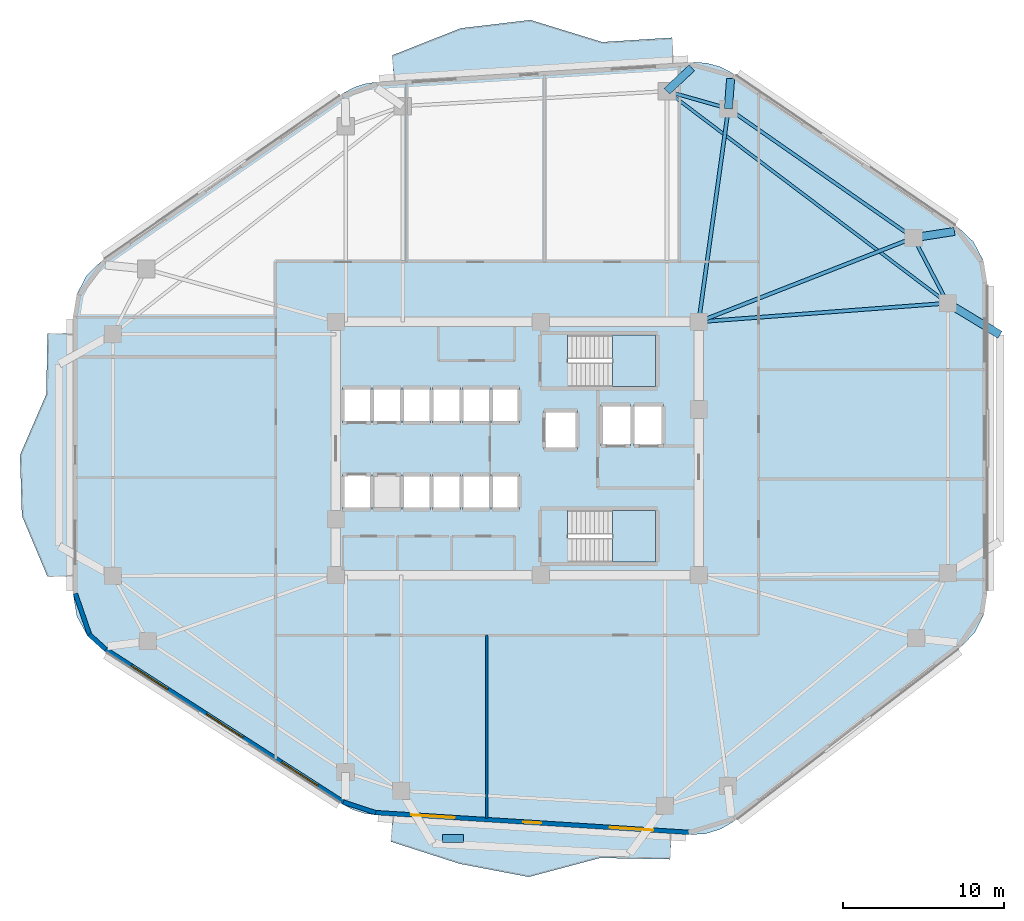
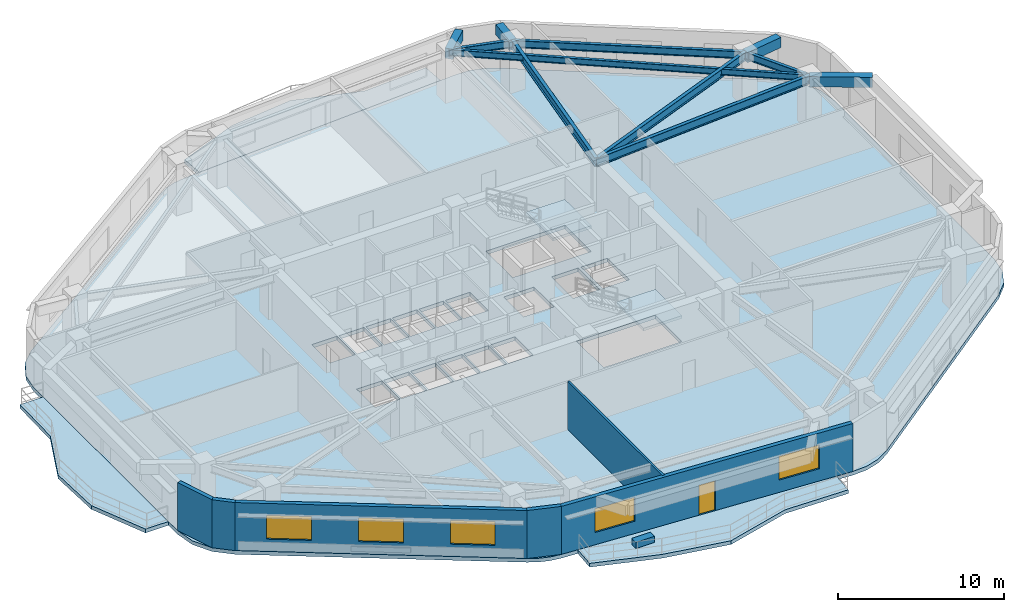
# One storey, part 2 of 10: 11 beams, 6 slabs, 6 walls, 5 windows, 1 door, 1 plate, 6 openings, 2 elements without a shape of their own.
"""IFC4 building model written with IfcOpenShell, lengths in metres."""

from ifc_helpers import new_model, si_unit, direction, frame, frame_2d, origin, origin_2d, place, context, subcontext, project, spatial, polyline, rectangle, i_section, outline, extrude, material, layer, layer_set, material_profile, profile_set, type_object, element, fill, aggregate, save


model = new_model("IFC4")

# Units and contexts
model_context = context("Model", 3, precision=1e-05, world=origin(), true_north=direction((0.0, 1.0)))
body_context = subcontext(model_context, "Body", "Model", "MODEL_VIEW")
ifc_project = project(units=[si_unit("LENGTHUNIT", "METRE"), si_unit("AREAUNIT", "SQUARE_METRE"), si_unit("VOLUMEUNIT", "CUBIC_METRE"), si_unit("PLANEANGLEUNIT", "RADIAN"), si_unit("MASSUNIT", "GRAM", prefix="KILO")], contexts=[model_context])

# Site, building, storey
site_placement = place(None, origin())
site = spatial("IfcSite", under=ifc_project, at=site_placement, CompositionType="ELEMENT")
building_placement = place(site_placement, origin())
building = spatial("IfcBuilding", under=site, at=building_placement, Name="Zulverin Broadcast Headquarters", CompositionType="ELEMENT")
storey_placement = place(building_placement, frame((0.0, 0.0, 97.199951171875)))
storey = spatial("IfcBuildingStorey", under=building, at=storey_placement, Name="L24", CompositionType="ELEMENT", Elevation=97.199951171875)

# Beams
ifc_material_1 = material(Name="Concrete C40/50", Category="concrete")
ifc_material_profile_1 = material_profile(ifc_material_1, rectangle(XDim=0.5, YDim=0.75, at=origin_2d()), Name="Concrete C40/50", Category="concrete")
ifc_profile_set_1 = profile_set([ifc_material_profile_1], Name="Concrete C40/50")
beam_type_1 = type_object("IfcBeamType", Name="BM-RC-500x750", PredefinedType="BEAM", material=ifc_profile_set_1)
beam_1_placement = place(storey_placement, frame((61.630126953125, 38.298583984375, 3.150146484375), z_axis=(0.988133444256, 0.153597839639, 0.0), x_axis=(-0.153597839639, 0.988133444256, 0.0)))
element("IfcBeam", 1, at=beam_1_placement, inside=storey, type_object=beam_type_1, Name="L25 Plate Overhang Back-Spanned Beam OVR-07", PredefinedType="BEAM", context=body_context, shape_type="SweptSolid", body=[
    extrude(rectangle(XDim=0.5, YDim=0.75, at=origin_2d()), origin(), (0.0, 0.0, 1.0), 2.57177734375),
])
beam_2_placement = place(storey_placement, frame((50.121826171875, 46.325927734375, 3.150146484375), z_axis=(0.073023006252, 0.997330256514, 0.0), x_axis=(-0.997330256514, 0.073023006252, 0.0)))
element("IfcBeam", 2, at=beam_2_placement, inside=storey, type_object=beam_type_1, Name="L25 Plate Overhang Back-Spanned Beam OVR-08", PredefinedType="BEAM", context=body_context, shape_type="SweptSolid", body=[
    extrude(rectangle(XDim=0.5, YDim=0.75, at=origin_2d()), origin(), (0.0, 0.0, 1.0), 1.875732421875),
])
beam_3_placement = place(storey_placement, frame((46.30224609375, 47.4091796875, 3.150146484375), z_axis=(0.728504534792, 0.685040978911, 0.0), x_axis=(-0.685040978911, 0.728504534792, 0.0)))
element("IfcBeam", 3, at=beam_3_placement, inside=storey, type_object=beam_type_1, Name="L25 Plate Overhang Back-Spanned Beam OVR-09", PredefinedType="BEAM", context=body_context, shape_type="SweptSolid", body=[
    extrude(rectangle(XDim=0.5, YDim=0.75, at=origin_2d()), origin(), (0.0, 0.0, 1.0), 2.11767578125),
])
beam_4_placement = place(storey_placement, frame((63.75, 34.235107421875, 3.150146484375), z_axis=(0.855593685746, -0.517647993246, 0.0), x_axis=(0.517647993246, 0.855593685746, 0.0)))
element("IfcBeam", 4, at=beam_4_placement, inside=storey, type_object=beam_type_1, Name="L25 Balcony Column-Framed Cantilever BAL_E-2", PredefinedType="BEAM", context=body_context, shape_type="SweptSolid", body=[
    extrude(rectangle(XDim=0.5, YDim=0.75, at=origin_2d()), origin(), (0.0, 0.0, 1.0), 3.800048828125),
])
ifc_material_2 = material(Name="Structural steel S355JR", Category="steel")
ifc_material_profile_2 = material_profile(ifc_material_2, i_section(OverallWidth=0.19287109375, OverallDepth=0.46728515625, WebThickness=0.011474609375, FlangeThickness=0.01953125, at=origin_2d()), Name="Structural steel S355JR", Category="steel")
ifc_profile_set_2 = profile_set([ifc_material_profile_2], Name="Structural steel S355JR")
beam_type_2 = type_object("IfcBeamType", Name="BM-UB-457", PredefinedType="JOIST", material=ifc_profile_set_2)
beam_5_placement = place(storey_placement, frame((63.75, 34.235107421875, 3.29150390625), z_axis=(-0.798058136838, 0.602580459546, 0.0), x_axis=(-0.602580459546, -0.798058136838, 0.0)))
element("IfcBeam", 5, at=beam_5_placement, inside=storey, type_object=beam_type_2, Name="L24 Chordal Floor Joist J-02", PredefinedType="JOIST", context=body_context, shape_type="SweptSolid", body=[
    extrude(i_section(OverallWidth=0.19287109375, OverallDepth=0.46728515625, WebThickness=0.011474609375, FlangeThickness=0.01953125, at=origin_2d()), origin(), (0.0, 0.0, 1.0), 21.86279296875),
])
ifc_material_profile_3 = material_profile(ifc_material_2, i_section(OverallWidth=0.2119140625, OverallDepth=0.54443359375, WebThickness=0.0126953125, FlangeThickness=0.021240234375, at=origin_2d()), Name="Structural steel S355JR", Category="steel")
ifc_profile_set_3 = profile_set([ifc_material_profile_3], Name="Structural steel S355JR")
beam_type_3 = type_object("IfcBeamType", Name="BM-UB-533", PredefinedType="SPANDREL", material=ifc_profile_set_3)
beam_6_placement = place(storey_placement, frame((63.75, 34.235107421875, 3.252685546875), z_axis=(-0.462531417359, 0.886602891917, 0.0), x_axis=(-0.886602891917, -0.462531417359, 0.0)))
element("IfcBeam", 6, at=beam_6_placement, inside=storey, type_object=beam_type_3, Name="L24 Perimeter Spandrel Beam SP-06", PredefinedType="SPANDREL", context=body_context, shape_type="SweptSolid", body=[
    extrude(i_section(OverallWidth=0.2119140625, OverallDepth=0.54443359375, WebThickness=0.0126953125, FlangeThickness=0.021240234375, at=origin_2d()), origin(), (0.0, 0.0, 1.0), 4.583251953125),
])
beam_7_placement = place(storey_placement, frame((61.630126953125, 38.298583984375, 3.252685546875), z_axis=(-0.820183915206, 0.5720999434, 0.0), x_axis=(-0.5720999434, -0.820183915206, 0.0)))
element("IfcBeam", 7, at=beam_7_placement, inside=storey, type_object=beam_type_3, Name="L24 Perimeter Spandrel Beam SP-07", PredefinedType="SPANDREL", context=body_context, shape_type="SweptSolid", body=[
    extrude(i_section(OverallWidth=0.2119140625, OverallDepth=0.54443359375, WebThickness=0.0126953125, FlangeThickness=0.021240234375, at=origin_2d()), origin(), (0.0, 0.0, 1.0), 14.03125),
])
beam_8_placement = place(storey_placement, frame((50.121826171875, 46.325927734375, 3.252685546875), z_axis=(-0.962058150721, 0.272844487999, 0.0), x_axis=(-0.272844487999, -0.962058150721, 0.0)))
element("IfcBeam", 8, at=beam_8_placement, inside=storey, type_object=beam_type_3, Name="L24 Perimeter Spandrel Beam SP-08", PredefinedType="SPANDREL", context=body_context, shape_type="SweptSolid", body=[
    extrude(i_section(OverallWidth=0.2119140625, OverallDepth=0.54443359375, WebThickness=0.0126953125, FlangeThickness=0.021240234375, at=origin_2d()), origin(), (0.0, 0.0, 1.0), 3.97021484375),
])
ifc_material_profile_4 = material_profile(ifc_material_2, i_section(OverallWidth=0.230224609375, OverallDepth=0.6171875, WebThickness=0.01318359375, FlangeThickness=0.022216796875, at=origin_2d()), Name="Structural steel S355JR", Category="steel")
ifc_profile_set_4 = profile_set([ifc_material_profile_4], Name="Structural steel S355JR")
beam_type_4 = type_object("IfcBeamType", Name="BM-UB-610", PredefinedType="BEAM", material=ifc_profile_set_4)
beam_9_placement = place(storey_placement, frame((48.27490234375, 33.074951171875, 3.216552734375), z_axis=(0.997201597387, 0.074759442003, 0.0), x_axis=(-0.074759442003, 0.997201597387, 0.0)))
element("IfcBeam", 9, at=beam_9_placement, inside=storey, type_object=beam_type_4, Name="L24 Radial Primary Floor Beam RB-06", PredefinedType="BEAM", context=body_context, shape_type="SweptSolid", body=[
    extrude(i_section(OverallWidth=0.230224609375, OverallDepth=0.6171875, WebThickness=0.01318359375, FlangeThickness=0.022216796875, at=origin_2d()), origin(), (0.0, 0.0, 1.0), 15.5185546875),
])
beam_10_placement = place(storey_placement, frame((48.27490234375, 33.074951171875, 3.216552734375), z_axis=(0.931297778153, 0.364258765723, 0.0), x_axis=(-0.364258765723, 0.931297778153, 0.0)))
element("IfcBeam", 10, at=beam_10_placement, inside=storey, type_object=beam_type_4, Name="L24 Radial Primary Floor Beam RB-07", PredefinedType="BEAM", context=body_context, shape_type="SweptSolid", body=[
    extrude(i_section(OverallWidth=0.230224609375, OverallDepth=0.6171875, WebThickness=0.01318359375, FlangeThickness=0.022216796875, at=origin_2d()), origin(), (0.0, 0.0, 1.0), 14.34033203125),
])
beam_11_placement = place(storey_placement, frame((48.27490234375, 33.074951171875, 3.216552734375), z_axis=(0.138045758193, 0.990425852169, 0.0), x_axis=(-0.990425852169, 0.138045758193, 0.0)))
element("IfcBeam", 11, at=beam_11_placement, inside=storey, type_object=beam_type_4, Name="L24 Radial Primary Floor Beam RB-08", PredefinedType="BEAM", context=body_context, shape_type="SweptSolid", body=[
    extrude(i_section(OverallWidth=0.230224609375, OverallDepth=0.6171875, WebThickness=0.01318359375, FlangeThickness=0.022216796875, at=origin_2d()), origin(), (0.0, 0.0, 1.0), 13.379150390625),
])

# Plate
ifc_material_3 = material(Name="Precast concrete C45/55", Category="concrete")
ifc_layer_1 = layer(ifc_material_3, 0.449951171875, Name="Precast concrete C45/55", Category="concrete")
ifc_layer_set_1 = layer_set([ifc_layer_1], Name="Precast concrete C45/55")
plate_type = type_object("IfcPlateType", Name="PT-01_PRECAST_GFRC_TREE_PLANTER", PredefinedType="USERDEFINED", material=ifc_layer_set_1)
plate_placement = place(storey_placement, frame((32.993408203125, 0.973876953125, -0.0048828125), z_axis=(0.0, 0.0, 1.0), x_axis=(1.0, 0.0, 0.0)))
element("IfcPlate", 12, at=plate_placement, inside=storey, type_object=plate_type, Name="L24 Precast GFRC Tree Planter BAL_S", ObjectType="PLANTER", PredefinedType="USERDEFINED", context=body_context, shape_type="SweptSolid", body=[
    extrude(rectangle(XDim=1.300048828125, YDim=0.5, at=origin_2d()), origin(), (0.0, 0.0, 1.0), 0.449951171875),
])

# Slabs
ifc_layer_2 = layer(ifc_material_1, 0.27490234375, Name="Concrete C40/50", Category="concrete")
ifc_layer_set_2 = layer_set([ifc_layer_2], Name="Concrete C40/50")
slab_type_1 = type_object("IfcSlabType", Name="SLB-BAL-275", PredefinedType="FLOOR", material=ifc_layer_set_2)
slab_1_placement = place(storey_placement, frame((0.0, 0.0, -0.27490234375)))
element("IfcSlab", 13, at=slab_1_placement, inside=storey, type_object=slab_type_1, Name="L24 Cantilevered Planted Balcony Slab BAL_N", PredefinedType="FLOOR", context=body_context, shape_type="SweptSolid", body=[
    extrude(outline(polyline([(29.330078125, 48.04296875), (46.72509765625, 49.139892578125), (46.62451171875, 50.73681640625), (42.275634765625, 50.46240234375), (37.8232421875, 51.8349609375), (33.489501953125, 51.322998046875), (29.2294921875, 49.639892578125), (29.330078125, 48.04296875)])), origin(), (0.0, 0.0, 1.0), 0.27490234375),
])
slab_2_placement = place(storey_placement, frame((0.0, 0.0, -0.27490234375)))
element("IfcSlab", 14, at=slab_2_placement, inside=storey, type_object=slab_type_1, Name="L24 Cantilevered Planted Balcony Slab BAL_W", PredefinedType="FLOOR", context=body_context, shape_type="SweptSolid", body=[
    extrude(outline(polyline([(9.39990234375, 17.24365234375), (9.39990234375, 32.344482421875), (7.800048828125, 32.344482421875), (7.7255859375, 28.569091796875), (6.092529296875, 24.7939453125), (6.21240234375, 21.018798828125), (7.800048828125, 17.24365234375), (9.39990234375, 17.24365234375)])), origin(), (0.0, 0.0, 1.0), 0.27490234375),
])
slab_3_placement = place(storey_placement, frame((0.0, 0.0, -0.27490234375)))
element("IfcSlab", 15, at=slab_3_placement, inside=storey, type_object=slab_type_1, Name="L24 Cantilevered Planted Balcony Slab BAL_S", PredefinedType="FLOOR", context=body_context, shape_type="SweptSolid", body=[
    extrude(outline(polyline([(46.5927734375, 1.268310546875), (29.250244140625, 2.3623046875), (29.149658203125, 0.765380859375), (33.416015625, -0.607666015625), (37.717041015625, -1.42822265625), (42.144287109375, -0.245361328125), (46.4921875, -0.328369140625), (46.5927734375, 1.268310546875)])), origin(), (0.0, 0.0, 1.0), 0.27490234375),
])

# Stair, slab
stair_type = type_object("IfcStairType", Name="ST-CORE-1500", PredefinedType="HALF_TURN_STAIR", material=ifc_material_1)
stair_1_placement = place(storey_placement, origin())
stair_1 = element("IfcStair", 16, at=stair_1_placement, inside=storey, type_object=stair_type, Name="L24 Core Exit Stair ST-1", PredefinedType="HALF_TURN_STAIR")
ifc_layer_3 = layer(ifc_material_1, 0.199951171875, Name="Concrete C40/50", Category="concrete")
ifc_layer_set_3 = layer_set([ifc_layer_3], Name="Concrete C40/50")
slab_type_2 = type_object("IfcSlabType", Name="SLB-ST-LND200", PredefinedType="LANDING", material=ifc_layer_set_3)
slab_4_placement = place(storey_placement, frame((0.0, 0.0, 1.699951171875)))
slab_4 = element("IfcSlab", 17, at=slab_4_placement, type_object=slab_type_2, Name="ST-1 landing 1", PredefinedType="LANDING", context=body_context, shape_type="SweptSolid", body=[
    extrude(outline(polyline([(42.929931640625, 29.050048828125), (45.60009765625, 29.050048828125), (45.60009765625, 32.25), (42.929931640625, 32.25), (42.929931640625, 29.050048828125)])), origin(), (0.0, 0.0, 1.0), 0.2001953125),
])
aggregate(stair_1, [slab_4])

stair_2_placement = place(storey_placement, origin())
stair_2 = element("IfcStair", 18, at=stair_2_placement, inside=storey, type_object=stair_type, Name="L24 Core Exit Stair ST-2", PredefinedType="HALF_TURN_STAIR")
slab_5_placement = place(storey_placement, frame((0.0, 0.0, 1.699951171875)))
slab_5 = element("IfcSlab", 19, at=slab_5_placement, type_object=slab_type_2, Name="ST-2 landing 1", PredefinedType="LANDING", context=body_context, shape_type="SweptSolid", body=[
    extrude(outline(polyline([(42.929931640625, 18.14990234375), (45.60009765625, 18.14990234375), (45.60009765625, 21.35009765625), (42.929931640625, 21.35009765625), (42.929931640625, 18.14990234375)])), origin(), (0.0, 0.0, 1.0), 0.2001953125),
])
aggregate(stair_2, [slab_5])

# Slab
ifc_layer_4 = layer(ifc_material_1, 0.27490234375, Name="Concrete C40/50", Category="concrete")
ifc_layer_set_4 = layer_set([ifc_layer_4], Name="Concrete C40/50")
slab_type_3 = type_object("IfcSlabType", Name="SLB-TWR-275", PredefinedType="FLOOR", material=ifc_layer_set_4)
slab_6_placement = place(storey_placement, frame((0.0, 0.0, -0.27490234375)))
element("IfcSlab", 20, at=slab_6_placement, inside=storey, type_object=slab_type_3, Name="L24 Main Structural Floor Slab", PredefinedType="FLOOR", context=body_context, shape_type="SweptSolid", body=[
    extrude(outline(polyline([(26.146484375, 3.089599609375), (26.774658203125, 2.75732421875), (27.44970703125, 2.535888671875), (28.152587890625, 2.431396484375), (47.690673828125, 1.19921875), (48.69189453125, 1.256103515625), (49.6513671875, 1.548828125), (50.51416015625, 2.060546875), (64.55908203125, 12.85302734375), (65.44140625, 13.77587890625), (66.005859375, 14.92138671875), (66.199951171875, 16.183349609375), (66.199951171875, 35.514404296875), (65.981689453125, 36.85107421875), (65.349365234375, 38.048583984375), (64.368896484375, 38.982666015625), (50.456298828125, 48.485595703125), (49.639404296875, 48.920166015625), (48.747314453125, 49.165283203125), (47.822998046875, 49.208984375), (28.232421875, 47.9736328125), (27.481201171875, 47.857421875), (26.76318359375, 47.607666015625), (26.102294921875, 47.232666015625), (11.20556640625, 36.89501953125), (10.238037109375, 35.9619140625), (9.614990234375, 34.77099609375), (9.39990234375, 33.4443359375), (9.39990234375, 16.1435546875), (9.631103515625, 14.769775390625), (10.298583984375, 13.547119140625), (11.32958984375, 12.610107421875), (26.146484375, 3.089599609375)]), holes=[polyline([(40.155029296875, 30.75), (40.130126953125, 30.75), (40.130126953125, 32.25), (45.60009765625, 32.25), (45.60009765625, 29.050048828125), (40.155029296875, 29.050048828125), (40.155029296875, 30.75)]), polyline([(40.155029296875, 19.85009765625), (40.130126953125, 19.85009765625), (40.130126953125, 21.35009765625), (45.60009765625, 21.35009765625), (45.60009765625, 18.14990234375), (40.155029296875, 18.14990234375), (40.155029296875, 19.85009765625)]), polyline([(26.14990234375, 26.800048828125), (27.89990234375, 26.800048828125), (27.89990234375, 29.0), (26.14990234375, 29.0), (26.14990234375, 26.800048828125)]), polyline([(28.02001953125, 26.800048828125), (29.77001953125, 26.800048828125), (29.77001953125, 29.0), (28.02001953125, 29.0), (28.02001953125, 26.800048828125)]), polyline([(26.14990234375, 21.39990234375), (27.89990234375, 21.39990234375), (27.89990234375, 23.60009765625), (26.14990234375, 23.60009765625), (26.14990234375, 21.39990234375)]), polyline([(28.02001953125, 21.39990234375), (29.77001953125, 21.39990234375), (29.77001953125, 23.60009765625), (28.02001953125, 23.60009765625), (28.02001953125, 21.39990234375)]), polyline([(29.89990234375, 21.39990234375), (31.6201171875, 21.39990234375), (31.6201171875, 23.60009765625), (29.89990234375, 23.60009765625), (29.89990234375, 21.39990234375)]), polyline([(31.739990234375, 21.39990234375), (33.4599609375, 21.39990234375), (33.4599609375, 23.60009765625), (31.739990234375, 23.60009765625), (31.739990234375, 21.39990234375)]), polyline([(33.580078125, 21.39990234375), (35.300048828125, 21.39990234375), (35.300048828125, 23.60009765625), (33.580078125, 23.60009765625), (33.580078125, 21.39990234375)]), polyline([(35.419921875, 21.39990234375), (37.139892578125, 21.39990234375), (37.139892578125, 23.60009765625), (35.419921875, 23.60009765625), (35.419921875, 21.39990234375)]), polyline([(29.89990234375, 26.800048828125), (31.6201171875, 26.800048828125), (31.6201171875, 29.0), (29.89990234375, 29.0), (29.89990234375, 26.800048828125)]), polyline([(31.739990234375, 26.800048828125), (33.4599609375, 26.800048828125), (33.4599609375, 29.0), (31.739990234375, 29.0), (31.739990234375, 26.800048828125)]), polyline([(33.580078125, 26.800048828125), (35.300048828125, 26.800048828125), (35.300048828125, 29.0), (33.580078125, 29.0), (33.580078125, 26.800048828125)]), polyline([(35.419921875, 26.800048828125), (37.139892578125, 26.800048828125), (37.139892578125, 29.0), (35.419921875, 29.0), (35.419921875, 26.800048828125)]), polyline([(42.199951171875, 25.35009765625), (44.050048828125, 25.35009765625), (44.050048828125, 27.949951171875), (42.199951171875, 27.949951171875), (42.199951171875, 25.35009765625)]), polyline([(44.25, 25.35009765625), (46.10009765625, 25.35009765625), (46.10009765625, 27.949951171875), (44.25, 27.949951171875), (44.25, 25.35009765625)]), polyline([(38.64990234375, 25.14990234375), (40.75, 25.14990234375), (40.75, 27.550048828125), (38.64990234375, 27.550048828125), (38.64990234375, 25.14990234375)])]), origin(), (0.0, 0.0, 1.0), 0.27490234375),
])

# Wall, openings, door, windows
ifc_material_4 = material(Name="Insulated pale-metal clad concrete spandrel C40/50", Category="concrete")
ifc_layer_5 = layer(ifc_material_4, 0.280029296875, Name="Insulated pale-metal clad concrete spandrel C40/50", Category="concrete")
ifc_layer_set_5 = layer_set([ifc_layer_5], Name="Insulated pale-metal clad concrete spandrel C40/50")
wall_type_1 = type_object("IfcWallType", Name="WL-EXT-280", PredefinedType="STANDARD", material=ifc_layer_set_5)
wall_1_placement = place(storey_placement, frame((28.161376953125, 2.571044921875, 0.0), z_axis=(0.0, 0.0, 1.0), x_axis=(0.998017288298, -0.06294038654, 0.0)))
wall_1 = element("IfcWall", 21, at=wall_1_placement, inside=storey, type_object=wall_type_1, Name="L24 Pale-Metal Clad Spandrel Wall 1", PredefinedType="STANDARD", context=body_context, shape_type="SweptSolid", body=[
    extrude(rectangle(XDim=19.576904296875, YDim=0.280029296875, at=frame_2d((9.78857421875, 0.0))), origin(), (0.0, 0.0, 1.0), 3.525146484375),
])
opening_1_placement = place(wall_1_placement, frame((9.238525390625, 0.0, 0.0)))
opening_1 = element("IfcOpeningElement", 22, at=opening_1_placement, cuts=wall_1, Name="Opening D-L24-TR1", PredefinedType="OPENING", context=body_context, shape_type="SweptSolid", body=[
    extrude(rectangle(XDim=1.10009765625, YDim=2.199951171875, at=frame_2d((0.550048828125, 1.10009765625))), frame((0.0, 0.14990234375, 0.0), z_axis=(0.0, -1.0, 0.0), x_axis=(1.0, 0.0, 0.0)), (0.0, 0.0, 1.0), 0.300048828125),
])
opening_2_placement = place(wall_1_placement, frame((2.24609375, 0.0, 0.89990234375)))
opening_2 = element("IfcOpeningElement", 23, at=opening_2_placement, cuts=wall_1, Name="Opening W-L24-E11", PredefinedType="OPENING", context=body_context, shape_type="SweptSolid", body=[
    extrude(rectangle(XDim=2.699951171875, YDim=1.75, at=frame_2d((1.35009765625, 0.875))), frame((0.0, 0.14990234375, 0.0), z_axis=(0.0, -1.0, 0.0), x_axis=(1.0, 0.0, 0.0)), (0.0, 0.0, 1.0), 0.300048828125),
])
opening_3_placement = place(wall_1_placement, frame((14.630859375, 0.0, 0.89990234375)))
opening_3 = element("IfcOpeningElement", 24, at=opening_3_placement, cuts=wall_1, Name="Opening W-L24-E12", PredefinedType="OPENING", context=body_context, shape_type="SweptSolid", body=[
    extrude(rectangle(XDim=2.699951171875, YDim=1.75, at=frame_2d((1.35009765625, 0.875))), frame((0.0, 0.14990234375, 0.0), z_axis=(0.0, -1.0, 0.0), x_axis=(1.0, 0.0, 0.0)), (0.0, 0.0, 1.0), 0.300048828125),
])
ifc_material_5 = material(Name="Thermally broken aluminium glazed", Category="aluminium")
door_type = type_object("IfcDoorType", Name="DR-TERR-1100", OperationType="SINGLE_SWING_RIGHT", PredefinedType="DOOR", material=ifc_material_5)
door_placement = place(opening_1_placement, origin())
door = element("IfcDoor", 25, at=door_placement, inside=storey, type_object=door_type, Name="L24 Planted Terrace Glazed Access Door 1", OperationType="SINGLE_SWING_RIGHT", OverallHeight=2.199951171875, OverallWidth=1.10009765625, PredefinedType="DOOR", context=body_context, shape_type="SweptSolid", body=[
    extrude(rectangle(XDim=1.10009765625, YDim=2.199951171875, at=frame_2d((0.550048828125, 1.10009765625))), frame((0.0, 0.02490234375, 0.0), z_axis=(0.0, -1.0, 0.0), x_axis=(1.0, 0.0, 0.0)), (0.0, 0.0, 1.0), 0.050048828125),
])
fill(opening_1, door)
ifc_material_6 = material(Name="Pale anodized aluminium frame with solar-control low-E double glazing", Category="aluminium")
window_type = type_object("IfcWindowType", Name="WIN-TWR-2700", PartitioningType="SINGLE_PANEL", PredefinedType="WINDOW", material=ifc_material_6)
window_1_placement = place(opening_2_placement, origin())
window_1 = element("IfcWindow", 26, at=window_1_placement, inside=storey, type_object=window_type, Name="L24 Ribbon Glazing Window 1 1", OverallHeight=1.75, OverallWidth=2.699951171875, PartitioningType="SINGLE_PANEL", PredefinedType="WINDOW", context=body_context, shape_type="SweptSolid", body=[
    extrude(rectangle(XDim=2.699951171875, YDim=1.75, at=frame_2d((1.35009765625, 0.875))), frame((0.0, 0.030029296875, 0.0), z_axis=(0.0, -1.0, 0.0), x_axis=(1.0, 0.0, 0.0)), (0.0, 0.0, 1.0), 0.06005859375),
])
fill(opening_2, window_1)
window_2_placement = place(opening_3_placement, origin())
window_2 = element("IfcWindow", 27, at=window_2_placement, inside=storey, type_object=window_type, Name="L24 Ribbon Glazing Window 1 2", OverallHeight=1.75, OverallWidth=2.699951171875, PartitioningType="SINGLE_PANEL", PredefinedType="WINDOW", context=body_context, shape_type="SweptSolid", body=[
    extrude(rectangle(XDim=2.699951171875, YDim=1.75, at=frame_2d((1.35009765625, 0.875))), frame((0.0, 0.030029296875, 0.0), z_axis=(0.0, -1.0, 0.0), x_axis=(1.0, 0.0, 0.0)), (0.0, 0.0, 1.0), 0.06005859375),
])
fill(opening_3, window_2)

# Wall, openings, windows
wall_2_placement = place(storey_placement, frame((11.4052734375, 12.727783203125, 0.0), z_axis=(0.0, 0.0, 1.0), x_axis=(0.841304564637, -0.540561402175, 0.0)))
wall_2 = element("IfcWall", 28, at=wall_2_placement, inside=storey, type_object=wall_type_1, Name="L24 Pale-Metal Clad Spandrel Wall 8", PredefinedType="STANDARD", context=body_context, shape_type="SweptSolid", body=[
    extrude(rectangle(XDim=17.61181640625, YDim=0.280029296875, at=frame_2d((8.805908203125, 0.0))), origin(), (0.0, 0.0, 1.0), 3.525146484375),
])
opening_4_placement = place(wall_2_placement, frame((1.918701171875, 0.0, 0.89990234375)))
opening_4 = element("IfcOpeningElement", 29, at=opening_4_placement, cuts=wall_2, Name="Opening W-L24-E81", PredefinedType="OPENING", context=body_context, shape_type="SweptSolid", body=[
    extrude(rectangle(XDim=2.699951171875, YDim=1.75, at=frame_2d((1.35009765625, 0.875))), frame((0.0, 0.14990234375, 0.0), z_axis=(0.0, -1.0, 0.0), x_axis=(1.0, 0.0, 0.0)), (0.0, 0.0, 1.0), 0.300048828125),
])
opening_5_placement = place(wall_2_placement, frame((7.455810546875, 0.0, 0.89990234375)))
opening_5 = element("IfcOpeningElement", 30, at=opening_5_placement, cuts=wall_2, Name="Opening W-L24-E82", PredefinedType="OPENING", context=body_context, shape_type="SweptSolid", body=[
    extrude(rectangle(XDim=2.699951171875, YDim=1.75, at=frame_2d((1.35009765625, 0.875))), frame((0.0, 0.14990234375, 0.0), z_axis=(0.0, -1.0, 0.0), x_axis=(1.0, 0.0, 0.0)), (0.0, 0.0, 1.0), 0.300048828125),
])
opening_6_placement = place(wall_2_placement, frame((12.9931640625, 0.0, 0.89990234375)))
opening_6 = element("IfcOpeningElement", 31, at=opening_6_placement, cuts=wall_2, Name="Opening W-L24-E83", PredefinedType="OPENING", context=body_context, shape_type="SweptSolid", body=[
    extrude(rectangle(XDim=2.699951171875, YDim=1.75, at=frame_2d((1.35009765625, 0.875))), frame((0.0, 0.14990234375, 0.0), z_axis=(0.0, -1.0, 0.0), x_axis=(1.0, 0.0, 0.0)), (0.0, 0.0, 1.0), 0.300048828125),
])
window_3_placement = place(opening_4_placement, origin())
window_3 = element("IfcWindow", 32, at=window_3_placement, inside=storey, type_object=window_type, Name="L24 Ribbon Glazing Window 8 1", OverallHeight=1.75, OverallWidth=2.699951171875, PartitioningType="SINGLE_PANEL", PredefinedType="WINDOW", context=body_context, shape_type="SweptSolid", body=[
    extrude(rectangle(XDim=2.699951171875, YDim=1.75, at=frame_2d((1.35009765625, 0.875))), frame((0.0, 0.030029296875, 0.0), z_axis=(0.0, -1.0, 0.0), x_axis=(1.0, 0.0, 0.0)), (0.0, 0.0, 1.0), 0.06005859375),
])
fill(opening_4, window_3)
window_4_placement = place(opening_5_placement, origin())
window_4 = element("IfcWindow", 33, at=window_4_placement, inside=storey, type_object=window_type, Name="L24 Ribbon Glazing Window 8 2", OverallHeight=1.75, OverallWidth=2.699951171875, PartitioningType="SINGLE_PANEL", PredefinedType="WINDOW", context=body_context, shape_type="SweptSolid", body=[
    extrude(rectangle(XDim=2.699951171875, YDim=1.75, at=frame_2d((1.35009765625, 0.875))), frame((0.0, 0.030029296875, 0.0), z_axis=(0.0, -1.0, 0.0), x_axis=(1.0, 0.0, 0.0)), (0.0, 0.0, 1.0), 0.06005859375),
])
fill(opening_5, window_4)
window_5_placement = place(opening_6_placement, origin())
window_5 = element("IfcWindow", 34, at=window_5_placement, inside=storey, type_object=window_type, Name="L24 Ribbon Glazing Window 8 3", OverallHeight=1.75, OverallWidth=2.699951171875, PartitioningType="SINGLE_PANEL", PredefinedType="WINDOW", context=body_context, shape_type="SweptSolid", body=[
    extrude(rectangle(XDim=2.699951171875, YDim=1.75, at=frame_2d((1.35009765625, 0.875))), frame((0.0, 0.030029296875, 0.0), z_axis=(0.0, -1.0, 0.0), x_axis=(1.0, 0.0, 0.0)), (0.0, 0.0, 1.0), 0.06005859375),
])
fill(opening_6, window_5)

# Walls
wall_3_placement = place(storey_placement, frame((9.5322265625, 16.189453125, 0.0), z_axis=(0.0, 0.0, 1.0), x_axis=(0.32708309668, -0.944995580871, 0.0)))
element("IfcWall", 35, at=wall_3_placement, inside=storey, type_object=wall_type_1, Name="L24 Wind-Shaped Corner Spandrel Wall 7-1", PredefinedType="STANDARD", context=body_context, shape_type="SweptSolid", body=[
    extrude(rectangle(XDim=2.74755859375, YDim=0.280029296875, at=frame_2d((1.373779296875, 0.0))), origin(), (0.0, 0.0, 1.0), 3.525146484375),
])
wall_4_placement = place(storey_placement, frame((10.392822265625, 13.650634765625, 0.0), z_axis=(0.0, 0.0, 1.0), x_axis=(0.74003521851, -0.672568119498, 0.0)))
element("IfcWall", 36, at=wall_4_placement, inside=storey, type_object=wall_type_1, Name="L24 Wind-Shaped Corner Spandrel Wall 7-2", PredefinedType="STANDARD", context=body_context, shape_type="SweptSolid", body=[
    extrude(rectangle(XDim=1.39306640625, YDim=0.280029296875, at=frame_2d((0.696533203125, 0.0))), origin(), (0.0, 0.0, 1.0), 3.525146484375),
])
wall_5_placement = place(storey_placement, frame((26.18994140625, 3.22265625, 0.0), z_axis=(0.0, 0.0, 1.0), x_axis=(0.95016442175, -0.311749212734, 0.0)))
element("IfcWall", 37, at=wall_5_placement, inside=storey, type_object=wall_type_1, Name="L24 Wind-Shaped Corner Spandrel Wall 8-1", PredefinedType="STANDARD", context=body_context, shape_type="SweptSolid", body=[
    extrude(rectangle(XDim=2.111328125, YDim=0.280029296875, at=frame_2d((1.0556640625, 0.0))), origin(), (0.0, 0.0, 1.0), 3.525146484375),
])
ifc_material_7 = material(Name="Fire-rated gypsum stud partition", Category="gypsum")
ifc_layer_6 = layer(ifc_material_7, 0.14990234375, Name="Fire-rated gypsum stud partition", Category="gypsum")
ifc_layer_set_6 = layer_set([ifc_layer_6], Name="Fire-rated gypsum stud partition")
wall_type_2 = type_object("IfcWallType", Name="WL-PART-150", PredefinedType="PARTITIONING", material=ifc_layer_set_6)
wall_6_placement = place(storey_placement, frame((35.10009765625, 2.1982421875, 0.0), z_axis=(0.0, 0.0, 1.0), x_axis=(0.0, 1.0, 0.0)))
element("IfcWall", 38, at=wall_6_placement, inside=storey, type_object=wall_type_2, Name="L24 Room Partition Wall RP-04", PredefinedType="PARTITIONING", context=body_context, shape_type="SweptSolid", body=[
    extrude(rectangle(XDim=11.40185546875, YDim=0.14990234375, at=frame_2d((5.700927734375, 0.0))), origin(), (0.0, 0.0, 1.0), 3.525146484375),
])

save(model, "model.ifc")
